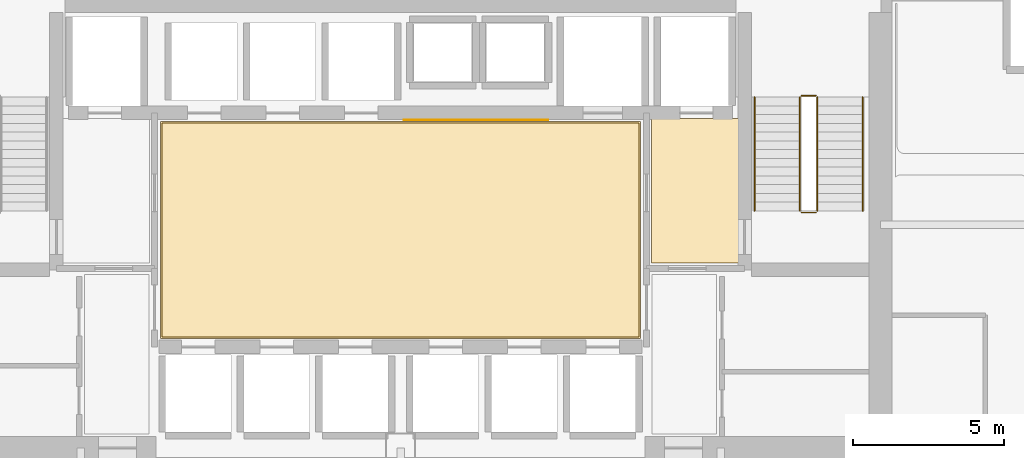
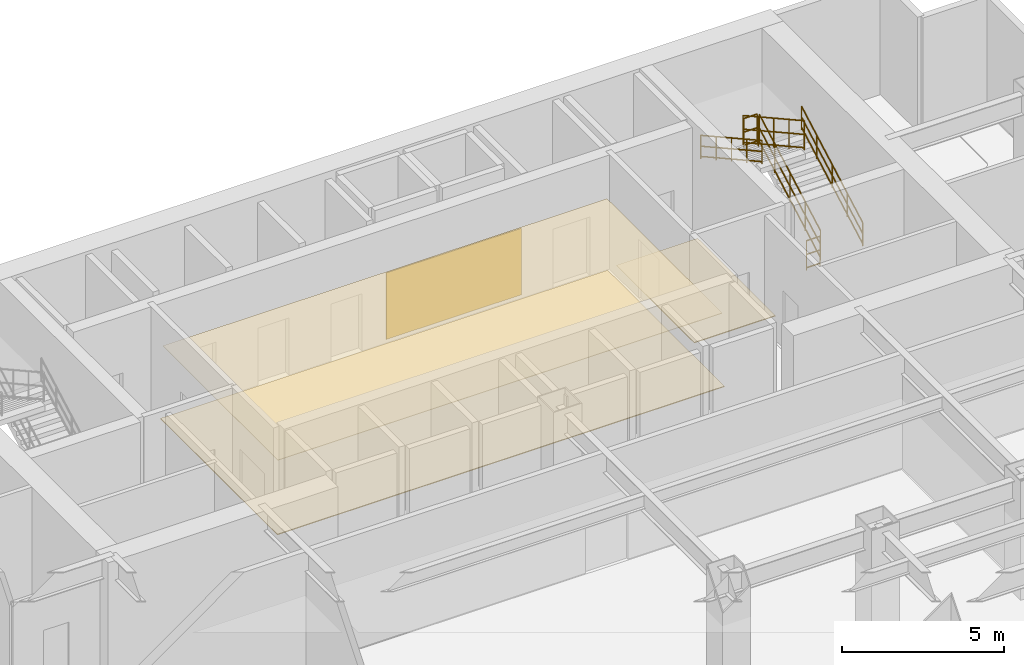
# One storey, part 9 of 9: 6 railings, 4 coverings.
"""IFC4 building model written with IfcOpenShell, lengths in metres."""

import ifcopenshell
import ifcopenshell.guid

model = None  # the IFC model being written
_history = None  # IfcOwnerHistory: only IFC2X3 demands one
_inside = {}  # id of a spatial element -> (the spatial element, [elements in it])
_under = {}  # id of a project, library or spatial element -> (it, [spatial elements below it])
_declared = {}  # id of a project -> (the project, [libraries it declares])
_typed = {}  # id of a type object -> (the type object, [elements of that type])
_made_of = {}  # id of a material, layer set ... -> (it, [elements and type objects made of it])


def new_model(schema):
    """Start an empty IFC model of exactly this schema.

    Asked for "IFC4X3", IfcOpenShell would pick the latest addendum, in which some entities
    have other attributes; the version numbers below select the first issue.
    IFC2X3 requires an IfcOwnerHistory on every rooted entity: one is made here for all.
    """
    global model, _history
    if schema == "IFC4X3":
        model = ifcopenshell.file(schema_version=(4, 3, 0, 0))
    else:
        model = ifcopenshell.file(schema=schema)
    _inside.clear()
    _under.clear()
    _declared.clear()
    _typed.clear()
    _made_of.clear()
    _history = None
    if model.schema == "IFC2X3":
        org = make("IfcOrganization", Name="unknown")
        user = make(
            "IfcPersonAndOrganization",
            ThePerson=make("IfcPerson", FamilyName="unknown"),
            TheOrganization=org,
        )
        app = make(
            "IfcApplication",
            ApplicationDeveloper=org,
            Version="unknown",
            ApplicationFullName="unknown",
            ApplicationIdentifier="unknown",
        )
        _history = make(
            "IfcOwnerHistory",
            OwningUser=user,
            OwningApplication=app,
            ChangeAction="ADDED",
            CreationDate=0,
        )
    return model


def make(cls, **values):
    """One entity of the class cls with the attributes given. An attribute that is None is left unset."""
    return model.create_entity(
        cls, **{name: value for name, value in values.items() if value is not None}
    )


def rooted(cls, **values):
    """An entity with a GlobalId (a new one), such as an element, a storey or a relation."""
    return make(cls, GlobalId=ifcopenshell.guid.new(), OwnerHistory=_history, **values)


def si_unit(unit_type, name, prefix=None):
    """IfcSIUnit, for example si_unit("LENGTHUNIT", "METRE", prefix="MILLI")."""
    return make("IfcSIUnit", UnitType=unit_type, Prefix=prefix, Name=name)


def assignment(units):
    """IfcUnitAssignment: the units of a project."""
    return None if units is None else make("IfcUnitAssignment", Units=units)


def point(xyz):
    """IfcCartesianPoint."""
    return None if xyz is None else make("IfcCartesianPoint", Coordinates=xyz)


def direction(xyz):
    """IfcDirection."""
    return None if xyz is None else make("IfcDirection", DirectionRatios=xyz)


def frame(location, z_axis=None, x_axis=None):
    """IfcAxis2Placement3D, a coordinate frame: its origin and axes. An axis left out is left unset."""
    return make(
        "IfcAxis2Placement3D",
        Location=point(location),
        Axis=direction(z_axis),
        RefDirection=direction(x_axis),
    )


def frame_2d(location, x_axis=None):
    """IfcAxis2Placement2D, a coordinate frame in the plane: its origin and x axis."""
    return make(
        "IfcAxis2Placement2D", Location=point(location), RefDirection=direction(x_axis)
    )


def origin():
    """The frame at (0, 0, 0) with its axes left unset."""
    return frame((0.0, 0.0, 0.0))


def origin_2d():
    """The frame at (0, 0) in the plane with its x axis left unset."""
    return frame_2d((0.0, 0.0))


def place(relative_to, where):
    """IfcLocalPlacement: puts the frame where relative to a parent placement (None: the world)."""
    return make(
        "IfcLocalPlacement", PlacementRelTo=relative_to, RelativePlacement=where
    )


def context(
    kind, dimensions, precision=None, world=None, true_north=None, identifier=None
):
    """IfcGeometricRepresentationContext, for example the 3D "Model" context."""
    return make(
        "IfcGeometricRepresentationContext",
        ContextIdentifier=identifier,
        ContextType=kind,
        CoordinateSpaceDimension=dimensions,
        Precision=precision,
        WorldCoordinateSystem=world,
        TrueNorth=true_north,
    )


def subcontext(parent, identifier, kind, view, scale=None):
    """IfcGeometricRepresentationSubContext, for example "Body" below "Model"."""
    return make(
        "IfcGeometricRepresentationSubContext",
        ContextIdentifier=identifier,
        ContextType=kind,
        ParentContext=parent,
        TargetScale=scale,
        TargetView=view,
    )


def project(units=None, contexts=None):
    """IfcProject with its units and contexts."""
    return rooted(
        "IfcProject",
        Name="project",
        RepresentationContexts=contexts,
        UnitsInContext=assignment(units),
    )


def spatial(cls, under=None, at=None, **own):
    """A site, building, storey or space (cls), placed at a placement, below another one or the project."""
    s = rooted(cls, ObjectPlacement=at, **own)
    if under is not None:
        _under.setdefault(under.id(), (under, []))[1].append(s)
    return s


def polyline(points):
    """IfcPolyline through the points."""
    return make("IfcPolyline", Points=[point(p) for p in points])


def profile(cls, at=None, kind="AREA", **sizes):
    """A parametric profile (cls). Its sizes go by their IFC names, for example OverallWidth=200.0."""
    return make(cls, ProfileType=kind, Position=at, **sizes)


def circle(**sizes):
    """IfcCircleProfileDef."""
    return profile("IfcCircleProfileDef", **sizes)


def outline(outer, holes=None, kind="AREA"):
    """IfcArbitraryClosedProfileDef: a profile drawn as a closed curve; with holes, ...WithVoids."""
    if holes is None:
        return make("IfcArbitraryClosedProfileDef", ProfileType=kind, OuterCurve=outer)
    return make(
        "IfcArbitraryProfileDefWithVoids",
        ProfileType=kind,
        OuterCurve=outer,
        InnerCurves=holes,
    )


def extrude(swept, where, along, depth):
    """IfcExtrudedAreaSolid: the profile swept, set in the frame where, extruded along a direction by depth."""
    return make(
        "IfcExtrudedAreaSolid",
        SweptArea=swept,
        Position=where,
        ExtrudedDirection=direction(along),
        Depth=depth,
    )


def shape(context_of_items, identifier, shape_type, items):
    """IfcShapeRepresentation: the items that make up one representation, for example the "Body"."""
    return make(
        "IfcShapeRepresentation",
        ContextOfItems=context_of_items,
        RepresentationIdentifier=identifier,
        RepresentationType=shape_type,
        Items=items,
    )


def material(Name=None, Category=None):
    """IfcMaterial."""
    return make("IfcMaterial", Name=Name, Category=Category)


def layer(
    of_material, thickness, ventilated=None, Name=None, Category=None, Priority=None
):
    """IfcMaterialLayer: one layer of a wall or slab, of a material (None: an air gap)."""
    return make(
        "IfcMaterialLayer",
        Material=of_material,
        LayerThickness=thickness,
        IsVentilated=ventilated,
        Name=Name,
        Category=Category,
        Priority=Priority,
    )


def layer_set(layers, Name=None):
    """IfcMaterialLayerSet."""
    return make("IfcMaterialLayerSet", MaterialLayers=layers, LayerSetName=Name)


def made_of(thing, what):
    """Note that an element or type object is made of a material, layer set ...; save() writes the relation."""
    if what is not None:
        _made_of.setdefault(what.id(), (what, []))[1].append(thing)
    return thing


def type_object(cls, material=None, **own):
    """A type object (cls), such as IfcWallType, which elements share."""
    return made_of(rooted(cls, **own), material)


def element(
    cls,
    number,
    at=None,
    inside=None,
    cuts=None,
    type_object=None,
    material=None,
    context=None,
    identifier="Body",
    shape_type=None,
    held_by="IfcProductDefinitionShape",
    body=None,
    shapes=None,
    **own,
):
    """One element of the class cls, such as IfcWall. Its Tag is "e" and its number.

    at: its placement. inside: the storey or other place that contains it. cuts: it is an
    opening in that element (IfcRelVoidsElement). A single representation is given by context,
    identifier, shape_type and body (its items); several are given by shapes. held_by: the class
    of the entity that holds the representations. save() writes the other relations.
    """
    e = rooted(cls, Tag="e%d" % number, ObjectPlacement=at, **own)
    if body is not None:
        shapes = [shape(context, identifier, shape_type, body)]
    if shapes is not None:
        e.Representation = make(held_by, Representations=shapes)
    if inside is not None:
        _inside.setdefault(inside.id(), (inside, []))[1].append(e)
    if cuts is not None:
        rooted(
            "IfcRelVoidsElement", RelatingBuildingElement=cuts, RelatedOpeningElement=e
        )
    if type_object is not None:
        _typed.setdefault(type_object.id(), (type_object, []))[1].append(e)
    return made_of(e, material)


def aggregate(whole, parts):
    """IfcRelAggregates: a whole, such as a stair, and the parts it consists of."""
    return rooted("IfcRelAggregates", RelatingObject=whole, RelatedObjects=parts)


def save(model, path):
    """Write the relations noted so far, then the file.

    IfcRelAggregates (storeys below a building ...), IfcRelContainedInSpatialStructure (elements
    in a storey), IfcRelDefinesByType, IfcRelAssociatesMaterial and IfcRelDeclares: one each for
    every whole, place, type object, material and project.
    """
    for whole, parts in _under.values():
        aggregate(whole, parts)
    for where, things in _inside.values():
        rooted(
            "IfcRelContainedInSpatialStructure",
            RelatedElements=things,
            RelatingStructure=where,
        )
    for kind, things in _typed.values():
        rooted("IfcRelDefinesByType", RelatedObjects=things, RelatingType=kind)
    for what, things in _made_of.values():
        rooted("IfcRelAssociatesMaterial", RelatedObjects=things, RelatingMaterial=what)
    for by, libraries in _declared.values():
        rooted("IfcRelDeclares", RelatingContext=by, RelatedDefinitions=libraries)
    model.write(path)


model = new_model("IFC4")

# Units and contexts
model_context = context("Model", 3, precision=1e-05, world=origin(), true_north=direction((0.0, 1.0)))
body_context = subcontext(model_context, "Body", "Model", "MODEL_VIEW")
ifc_project = project(units=[si_unit("LENGTHUNIT", "METRE"), si_unit("AREAUNIT", "SQUARE_METRE"), si_unit("VOLUMEUNIT", "CUBIC_METRE"), si_unit("PLANEANGLEUNIT", "RADIAN"), si_unit("MASSUNIT", "GRAM", prefix="KILO")], contexts=[model_context])

# Site, building, storey
site_placement = place(None, origin())
site = spatial("IfcSite", under=ifc_project, at=site_placement, CompositionType="ELEMENT")
building_placement = place(site_placement, origin())
building = spatial("IfcBuilding", under=site, at=building_placement, Name="Qianlan Lanfeng Residences", CompositionType="ELEMENT")
storey_placement = place(building_placement, frame((0.0, 0.0, 77.199951171875)))
storey = spatial("IfcBuildingStorey", under=building, at=storey_placement, Name="L20", CompositionType="ELEMENT", Elevation=77.199951171875)

# Coverings
ifc_material_1 = material(Name="Anodised Bronze Feature Wall Cladding")
ifc_layer_1 = layer(ifc_material_1, 0.02490234375)
ifc_layer_set_1 = layer_set([ifc_layer_1], Name="Anodised Bronze Feature Wall Cladding")
covering_type_1 = type_object("IfcCoveringType", Name="CLD-BRZ-25", PredefinedType="CLADDING", material=ifc_layer_set_1)
covering_1_placement = place(storey_placement, frame((0.0, 0.0, 0.150146484375)))
element("IfcCovering", 1, at=covering_1_placement, inside=storey, type_object=covering_type_1, Name="L20 Lift Lobby Bronze Feature Cladding", PredefinedType="CLADDING", context=body_context, shape_type="SweptSolid", body=[
    extrude(outline(polyline([(26.60009765625, 36.050048828125), (31.39990234375, 36.050048828125), (31.39990234375, 36.074951171875), (26.60009765625, 36.074951171875), (26.60009765625, 36.050048828125)])), origin(), (0.0, 0.0, 1.0), 2.5),
])
ifc_material_2 = material(Name="Acoustic Perforated Gypsum Ceiling Board")
ifc_layer_2 = layer(ifc_material_2, 0.02001953125)
ifc_layer_set_2 = layer_set([ifc_layer_2], Name="Acoustic Perforated Gypsum Ceiling Board")
covering_type_2 = type_object("IfcCoveringType", Name="CLG-GYP-15", PredefinedType="CEILING", material=ifc_layer_set_2)
covering_2_placement = place(storey_placement, frame((0.0, 0.0, 2.75)))
element("IfcCovering", 2, at=covering_2_placement, inside=storey, type_object=covering_type_2, Name="L20 Lift Lobby Suspended Ceiling", PredefinedType="CEILING", context=body_context, shape_type="SweptSolid", body=[
    extrude(outline(polyline([(18.60009765625, 28.8701171875), (34.39990234375, 28.8701171875), (34.39990234375, 35.9599609375), (18.60009765625, 35.9599609375), (18.60009765625, 28.8701171875)])), origin(), (0.0, 0.0, 1.0), 0.02001953125),
])
ifc_material_3 = material(Name="Honed Taitung Granite Stone Flooring", Category="masonry")
ifc_layer_3 = layer(ifc_material_3, 0.030029296875)
ifc_layer_set_3 = layer_set([ifc_layer_3], Name="Honed Taitung Granite Stone Flooring")
covering_type_3 = type_object("IfcCoveringType", Name="FLR-STN-30", PredefinedType="FLOORING", material=ifc_layer_set_3)
covering_3_placement = place(storey_placement, origin())
element("IfcCovering", 3, at=covering_3_placement, inside=storey, type_object=covering_type_3, Name="L20 Firefighting Lift Lobby Floor Finish", PredefinedType="FLOORING", context=body_context, shape_type="SweptSolid", body=[
    extrude(outline(polyline([(34.820068359375, 31.320068359375), (37.7099609375, 31.320068359375), (37.7099609375, 36.110107421875), (34.820068359375, 36.110107421875), (34.820068359375, 31.320068359375)])), origin(), (0.0, 0.0, 1.0), 0.030029296875),
])
covering_4_placement = place(storey_placement, origin())
element("IfcCovering", 4, at=covering_4_placement, inside=storey, type_object=covering_type_3, Name="L20 Lift Lobby Floor Finish", PredefinedType="FLOORING", context=body_context, shape_type="SweptSolid", body=[
    extrude(outline(polyline([(18.550048828125, 28.820068359375), (34.449951171875, 28.820068359375), (34.449951171875, 36.010009765625), (18.550048828125, 36.010009765625), (18.550048828125, 28.820068359375)])), origin(), (0.0, 0.0, 1.0), 0.030029296875),
])

# Railings
ifc_material_4 = material(Name="Painted Galvanised Steel Guardrail", Category="steel")
railing_type_1 = type_object("IfcRailingType", Name="GR-ST-1120", PredefinedType="GUARDRAIL", material=ifc_material_4)
railing_1_placement = place(storey_placement, frame((40.31005859375, 33.050048828125, 0.16064453125)))
element("IfcRailing", 5, at=railing_1_placement, inside=storey, type_object=railing_type_1, Name="L20 ST-2 stair guard 1", PredefinedType="GUARDRAIL", context=body_context, shape_type="SweptSolid", body=[
    extrude(circle(Radius=0.02392578125, at=origin_2d()), frame((0.0, 0.0, 0.083984375), z_axis=(0.0, 0.874659101714, 0.484738543742), x_axis=(-1.0, 0.0, 0.0)), (0.0, 0.0, 1.0), 4.310302734375),
    extrude(circle(Radius=0.02392578125, at=origin_2d()), frame((0.0, 0.0, 0.58251953125), z_axis=(0.0, 0.874659101714, 0.484738543742), x_axis=(-1.0, 0.0, 0.0)), (0.0, 0.0, 1.0), 4.310302734375),
    extrude(circle(Radius=0.02392578125, at=origin_2d()), frame((0.0, 0.0, 1.09619140625), z_axis=(0.0, 0.874659101714, 0.484738543742), x_axis=(-1.0, 0.0, 0.0)), (0.0, 0.0, 1.0), 4.310302734375),
    extrude(circle(Radius=0.02099609375, at=origin_2d()), origin(), (0.0, 0.0, 1.0), 1.072021484375),
    extrude(circle(Radius=0.02099609375, at=origin_2d()), frame((0.0, 0.9423828125, 0.5224609375)), (0.0, 0.0, 1.0), 1.072021484375),
    extrude(circle(Radius=0.02099609375, at=origin_2d()), frame((0.0, 1.885009765625, 1.044677734375)), (0.0, 0.0, 1.0), 1.072021484375),
    extrude(circle(Radius=0.02099609375, at=origin_2d()), frame((0.0, 2.82763671875, 1.56689453125)), (0.0, 0.0, 1.0), 1.072021484375),
    extrude(circle(Radius=0.02099609375, at=origin_2d()), frame((0.0, 3.77001953125, 2.08935546875)), (0.0, 0.0, 1.0), 1.072021484375),
])
railing_2_placement = place(storey_placement, frame((40.260009765625, 36.8701171875, 2.25)))
element("IfcRailing", 6, at=railing_2_placement, inside=storey, type_object=railing_type_1, Name="L20 ST-2 stair guard 2", PredefinedType="GUARDRAIL", context=body_context, shape_type="SweptSolid", body=[
    extrude(circle(Radius=0.02392578125, at=origin_2d()), frame((0.0, 0.0, 0.083984375), z_axis=(-1.0, 0.0, 0.0), x_axis=(0.0, -1.0, 0.0)), (0.0, 0.0, 1.0), 0.47998046875),
    extrude(circle(Radius=0.02392578125, at=origin_2d()), frame((0.0, 0.0, 0.58251953125), z_axis=(-1.0, 0.0, 0.0), x_axis=(0.0, -1.0, 0.0)), (0.0, 0.0, 1.0), 0.47998046875),
    extrude(circle(Radius=0.02392578125, at=origin_2d()), frame((0.0, 0.0, 1.09619140625), z_axis=(-1.0, 0.0, 0.0), x_axis=(0.0, -1.0, 0.0)), (0.0, 0.0, 1.0), 0.47998046875),
    extrude(circle(Radius=0.02099609375, at=origin_2d()), origin(), (0.0, 0.0, 1.0), 1.072021484375),
    extrude(circle(Radius=0.02099609375, at=origin_2d()), frame((-0.47998046875, 0.0, 0.0)), (0.0, 0.0, 1.0), 1.072021484375),
])
railing_3_placement = place(storey_placement, frame((39.72998046875, 36.820068359375, 2.41064453125)))
element("IfcRailing", 7, at=railing_3_placement, inside=storey, type_object=railing_type_1, Name="L20 ST-2 stair guard 3", PredefinedType="GUARDRAIL", context=body_context, shape_type="SweptSolid", body=[
    extrude(circle(Radius=0.02392578125, at=origin_2d()), frame((0.0, 0.0, 0.083984375), z_axis=(0.0, -0.874659101714, 0.484738543742), x_axis=(1.0, 0.0, 0.0)), (0.0, 0.0, 1.0), 4.310302734375),
    extrude(circle(Radius=0.02392578125, at=origin_2d()), frame((0.0, 0.0, 0.58251953125), z_axis=(0.0, -0.874659101714, 0.484738543742), x_axis=(1.0, 0.0, 0.0)), (0.0, 0.0, 1.0), 4.310302734375),
    extrude(circle(Radius=0.02392578125, at=origin_2d()), frame((0.0, 0.0, 1.09619140625), z_axis=(0.0, -0.874659101714, 0.484738543742), x_axis=(1.0, 0.0, 0.0)), (0.0, 0.0, 1.0), 4.310302734375),
    extrude(circle(Radius=0.02099609375, at=origin_2d()), origin(), (0.0, 0.0, 1.0), 1.072021484375),
    extrude(circle(Radius=0.02099609375, at=origin_2d()), frame((0.0, -0.9423828125, 0.5224609375)), (0.0, 0.0, 1.0), 1.072021484375),
    extrude(circle(Radius=0.02099609375, at=origin_2d()), frame((0.0, -1.885009765625, 1.044677734375)), (0.0, 0.0, 1.0), 1.072021484375),
    extrude(circle(Radius=0.02099609375, at=origin_2d()), frame((0.0, -2.82763671875, 1.56689453125)), (0.0, 0.0, 1.0), 1.072021484375),
    extrude(circle(Radius=0.02099609375, at=origin_2d()), frame((0.0, -3.77001953125, 2.08935546875)), (0.0, 0.0, 1.0), 1.072021484375),
])
railing_4_placement = place(storey_placement, frame((40.260009765625, 33.0, 0.0)))
element("IfcRailing", 8, at=railing_4_placement, inside=storey, type_object=railing_type_1, Name="L20 ST-2 stair guard 4", PredefinedType="GUARDRAIL", context=body_context, shape_type="SweptSolid", body=[
    extrude(circle(Radius=0.02392578125, at=origin_2d()), frame((0.0, 0.0, 0.083984375), z_axis=(-1.0, 0.0, 0.0), x_axis=(0.0, -1.0, 0.0)), (0.0, 0.0, 1.0), 0.47998046875),
    extrude(circle(Radius=0.02392578125, at=origin_2d()), frame((0.0, 0.0, 0.58251953125), z_axis=(-1.0, 0.0, 0.0), x_axis=(0.0, -1.0, 0.0)), (0.0, 0.0, 1.0), 0.47998046875),
    extrude(circle(Radius=0.02392578125, at=origin_2d()), frame((0.0, 0.0, 1.09619140625), z_axis=(-1.0, 0.0, 0.0), x_axis=(0.0, -1.0, 0.0)), (0.0, 0.0, 1.0), 0.47998046875),
    extrude(circle(Radius=0.02099609375, at=origin_2d()), origin(), (0.0, 0.0, 1.0), 1.072021484375),
    extrude(circle(Radius=0.02099609375, at=origin_2d()), frame((-0.47998046875, 0.0, 0.0)), (0.0, 0.0, 1.0), 1.072021484375),
])
ifc_material_5 = material(Name="Brushed Stainless Steel Handrail", Category="steel")
railing_type_2 = type_object("IfcRailingType", Name="HR-ST-920", PredefinedType="HANDRAIL", material=ifc_material_5)
railing_5_placement = place(storey_placement, frame((41.81005859375, 33.050048828125, 0.16064453125)))
element("IfcRailing", 9, at=railing_5_placement, inside=storey, type_object=railing_type_2, Name="L20 ST-2 stair handrail 1", PredefinedType="HANDRAIL", context=body_context, shape_type="SweptSolid", body=[
    extrude(circle(Radius=0.02392578125, at=origin_2d()), frame((0.0, 0.0, 0.083984375), z_axis=(0.0, 0.874659101714, 0.484738543742), x_axis=(-1.0, 0.0, 0.0)), (0.0, 0.0, 1.0), 4.310302734375),
    extrude(circle(Radius=0.02392578125, at=origin_2d()), frame((0.0, 0.0, 0.468017578125), z_axis=(0.0, 0.874659101714, 0.484738543742), x_axis=(-1.0, 0.0, 0.0)), (0.0, 0.0, 1.0), 4.310302734375),
    extrude(circle(Radius=0.02392578125, at=origin_2d()), frame((0.0, 0.0, 0.8759765625), z_axis=(0.0, 0.874659101714, 0.484738543742), x_axis=(-1.0, 0.0, 0.0)), (0.0, 0.0, 1.0), 4.310302734375),
    extrude(circle(Radius=0.02099609375, at=origin_2d()), origin(), (0.0, 0.0, 1.0), 0.851806640625),
    extrude(circle(Radius=0.02099609375, at=origin_2d()), frame((0.0, 0.9423828125, 0.5224609375)), (0.0, 0.0, 1.0), 0.851806640625),
    extrude(circle(Radius=0.02099609375, at=origin_2d()), frame((0.0, 1.885009765625, 1.044677734375)), (0.0, 0.0, 1.0), 0.851806640625),
    extrude(circle(Radius=0.02099609375, at=origin_2d()), frame((0.0, 2.82763671875, 1.56689453125)), (0.0, 0.0, 1.0), 0.851806640625),
    extrude(circle(Radius=0.02099609375, at=origin_2d()), frame((0.0, 3.77001953125, 2.08935546875)), (0.0, 0.0, 1.0), 0.851806640625),
])
railing_6_placement = place(storey_placement, frame((38.22998046875, 36.820068359375, 2.41064453125)))
element("IfcRailing", 10, at=railing_6_placement, inside=storey, type_object=railing_type_2, Name="L20 ST-2 stair handrail 2", PredefinedType="HANDRAIL", context=body_context, shape_type="SweptSolid", body=[
    extrude(circle(Radius=0.02392578125, at=origin_2d()), frame((0.0, 0.0, 0.083984375), z_axis=(0.0, -0.874659101714, 0.484738543742), x_axis=(1.0, 0.0, 0.0)), (0.0, 0.0, 1.0), 4.310302734375),
    extrude(circle(Radius=0.02392578125, at=origin_2d()), frame((0.0, 0.0, 0.468017578125), z_axis=(0.0, -0.874659101714, 0.484738543742), x_axis=(1.0, 0.0, 0.0)), (0.0, 0.0, 1.0), 4.310302734375),
    extrude(circle(Radius=0.02392578125, at=origin_2d()), frame((0.0, 0.0, 0.8759765625), z_axis=(0.0, -0.874659101714, 0.484738543742), x_axis=(1.0, 0.0, 0.0)), (0.0, 0.0, 1.0), 4.310302734375),
    extrude(circle(Radius=0.02099609375, at=origin_2d()), origin(), (0.0, 0.0, 1.0), 0.851806640625),
    extrude(circle(Radius=0.02099609375, at=origin_2d()), frame((0.0, -0.9423828125, 0.5224609375)), (0.0, 0.0, 1.0), 0.851806640625),
    extrude(circle(Radius=0.02099609375, at=origin_2d()), frame((0.0, -1.885009765625, 1.044677734375)), (0.0, 0.0, 1.0), 0.851806640625),
    extrude(circle(Radius=0.02099609375, at=origin_2d()), frame((0.0, -2.82763671875, 1.56689453125)), (0.0, 0.0, 1.0), 0.851806640625),
    extrude(circle(Radius=0.02099609375, at=origin_2d()), frame((0.0, -3.77001953125, 2.08935546875)), (0.0, 0.0, 1.0), 0.851806640625),
])

save(model, "model.ifc")
